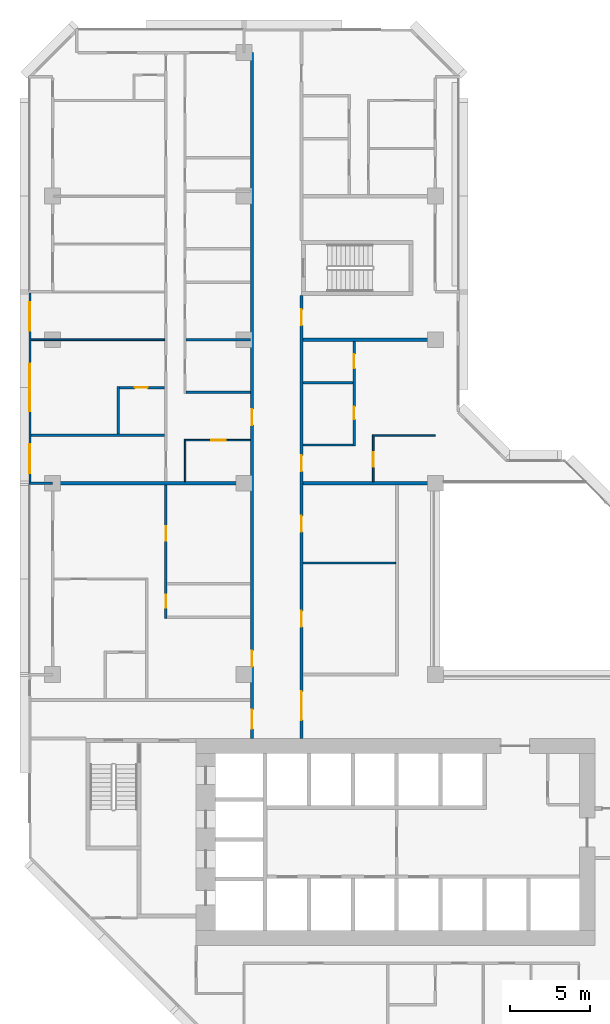
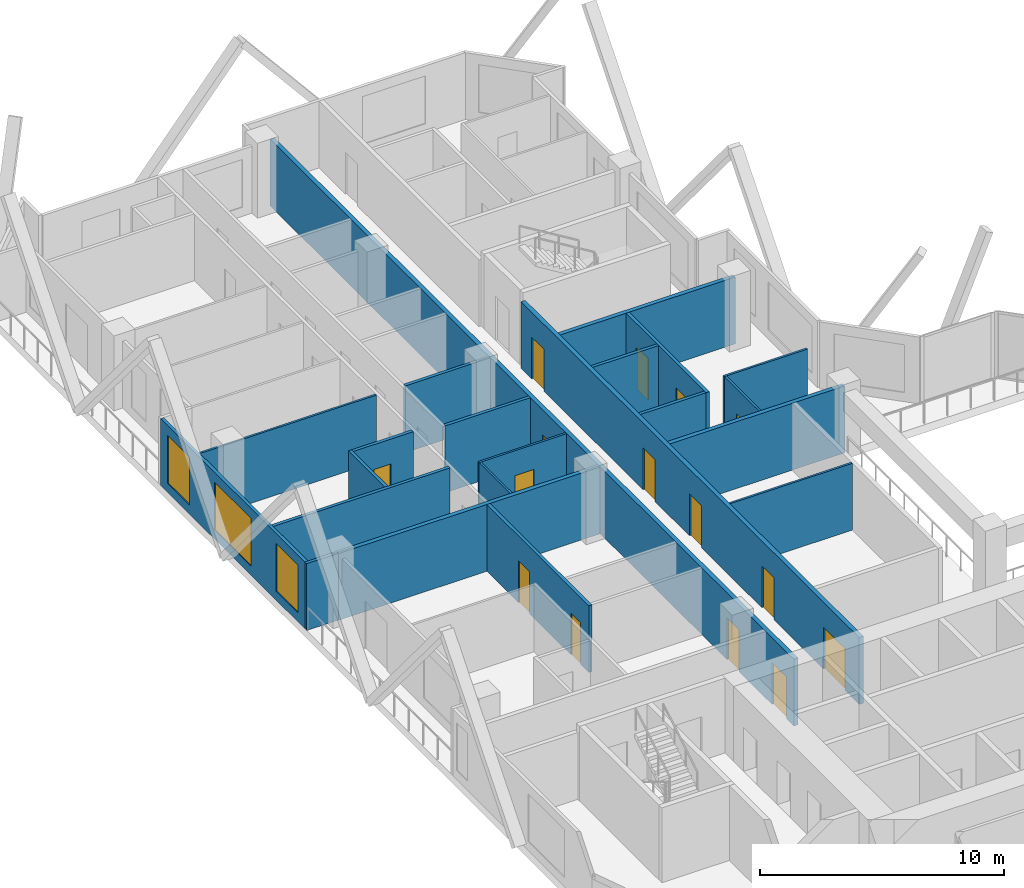
# One storey, part 9 of 15: 22 walls, 15 doors, 3 windows, 18 openings.
"""IFC4 building model written with IfcOpenShell, lengths in metres."""

from ifc_helpers import new_model, si_unit, direction, frame, frame_2d, origin, place, context, subcontext, project, spatial, rectangle, extrude, material, layer, layer_set, type_object, element, fill, save


model = new_model("IFC4")

# Units and contexts
model_context = context("Model", 3, precision=1e-05, world=origin(), true_north=direction((0.0, 1.0)))
body_context = subcontext(model_context, "Body", "Model", "MODEL_VIEW")
ifc_project = project(units=[si_unit("LENGTHUNIT", "METRE"), si_unit("AREAUNIT", "SQUARE_METRE"), si_unit("VOLUMEUNIT", "CUBIC_METRE"), si_unit("PLANEANGLEUNIT", "RADIAN"), si_unit("MASSUNIT", "GRAM", prefix="KILO")], contexts=[model_context])

# Site, building, storey
site_placement = place(None, origin())
site = spatial("IfcSite", under=ifc_project, at=site_placement, CompositionType="ELEMENT")
building_placement = place(site_placement, origin())
building = spatial("IfcBuilding", under=site, at=building_placement, Name="Chenar Terraces", CompositionType="ELEMENT")
storey_placement = place(building_placement, frame((0.0, 0.0, 121.89990234375)))
storey = spatial("IfcBuildingStorey", under=building, at=storey_placement, Name="L28", CompositionType="ELEMENT", Elevation=121.89990234375)

# Wall, openings, doors
ifc_material_1 = material(Name="Gypsum board on steel studs with fire boards", Category="steel")
ifc_layer_1 = layer(ifc_material_1, 0.199951171875)
ifc_layer_set_1 = layer_set([ifc_layer_1], Name="Gypsum board on steel studs with fire boards")
wall_type_1 = type_object("IfcWallType", Name="Corridor wall 200", PredefinedType="PARTITIONING", material=ifc_layer_set_1)
wall_1_placement = place(storey_placement, frame((12.5, 20.0, 0.0), z_axis=(0.0, 0.0, 1.0), x_axis=(0.0, 1.0, 0.0)))
wall_1 = element("IfcWall", 1, at=wall_1_placement, inside=storey, type_object=wall_type_1, Name="Partition L28-036", PredefinedType="PARTITIONING", context=body_context, shape_type="SweptSolid", body=[
    extrude(rectangle(XDim=43.0, YDim=0.199951171875, at=frame_2d((21.5, 0.0))), origin(), (0.0, 0.0, 1.0), 3.35009765625),
])
opening_1_placement = place(wall_1_placement, frame((19.64990234375, 0.0, 0.0)))
opening_1 = element("IfcOpeningElement", 2, at=opening_1_placement, cuts=wall_1, Name="Opening DL28-37", PredefinedType="OPENING", context=body_context, shape_type="SweptSolid", body=[
    extrude(rectangle(XDim=1.0, YDim=2.10009765625, at=frame_2d((0.5, 1.050048828125))), frame((0.0, 0.10986328125, 0.0), z_axis=(0.0, -1.0, 0.0), x_axis=(1.0, 0.0, 0.0)), (0.0, 0.0, 1.0), 0.219970703125),
])
opening_2_placement = place(wall_1_placement, frame((0.60009765625, 0.0, 0.0)))
opening_2 = element("IfcOpeningElement", 3, at=opening_2_placement, cuts=wall_1, Name="Opening DL28-51", PredefinedType="OPENING", context=body_context, shape_type="SweptSolid", body=[
    extrude(rectangle(XDim=1.199951171875, YDim=2.10009765625, at=frame_2d((0.60009765625, 1.050048828125))), frame((0.0, 0.10986328125, 0.0), z_axis=(0.0, -1.0, 0.0), x_axis=(1.0, 0.0, 0.0)), (0.0, 0.0, 1.0), 0.219970703125),
])
opening_3_placement = place(wall_1_placement, frame((4.5, 0.0, 0.0)))
opening_3 = element("IfcOpeningElement", 4, at=opening_3_placement, cuts=wall_1, Name="Opening DL28-74", PredefinedType="OPENING", context=body_context, shape_type="SweptSolid", body=[
    extrude(rectangle(XDim=1.0, YDim=2.10009765625, at=frame_2d((0.5, 1.050048828125))), frame((0.0, 0.10986328125, 0.0), z_axis=(0.0, -1.0, 0.0), x_axis=(1.0, 0.0, 0.0)), (0.0, 0.0, 1.0), 0.219970703125),
])
ifc_material_2 = material(Name="Steel-framed fire-resisting door leaf", Category="steel")
door_type_1 = type_object("IfcDoorType", Name="Fire door FD30S 1000 x 2100", OperationType="SINGLE_SWING_LEFT", PredefinedType="DOOR", material=ifc_material_2)
door_1_placement = place(opening_1_placement, origin())
door_1 = element("IfcDoor", 5, at=door_1_placement, inside=storey, type_object=door_type_1, Name="Door DL28-37", OperationType="SINGLE_SWING_LEFT", OverallHeight=2.10009765625, OverallWidth=1.0, PredefinedType="DOOR", context=body_context, shape_type="SweptSolid", body=[
    extrude(rectangle(XDim=1.0, YDim=2.10009765625, at=frame_2d((0.5, 1.050048828125))), frame((0.0, 0.02490234375, 0.0), z_axis=(0.0, -1.0, 0.0), x_axis=(1.0, 0.0, 0.0)), (0.0, 0.0, 1.0), 0.050048828125),
])
fill(opening_1, door_1)
door_2_placement = place(opening_3_placement, origin())
door_2 = element("IfcDoor", 6, at=door_2_placement, inside=storey, type_object=door_type_1, Name="Door DL28-74", OperationType="SINGLE_SWING_LEFT", OverallHeight=2.10009765625, OverallWidth=1.0, PredefinedType="DOOR", context=body_context, shape_type="SweptSolid", body=[
    extrude(rectangle(XDim=1.0, YDim=2.10009765625, at=frame_2d((0.5, 1.050048828125))), frame((0.0, 0.02490234375, 0.0), z_axis=(0.0, -1.0, 0.0), x_axis=(1.0, 0.0, 0.0)), (0.0, 0.0, 1.0), 0.050048828125),
])
fill(opening_3, door_2)
ifc_material_3 = material(Name="Steel-framed fire-resisting door leaf", Category="steel")
door_type_2 = type_object("IfcDoorType", Name="Fire door FD30S 1200 x 2100", OperationType="SINGLE_SWING_LEFT", PredefinedType="DOOR", material=ifc_material_3)
door_3_placement = place(opening_2_placement, origin())
door_3 = element("IfcDoor", 7, at=door_3_placement, inside=storey, type_object=door_type_2, Name="Door DL28-51", OperationType="SINGLE_SWING_RIGHT", OverallHeight=2.10009765625, OverallWidth=1.199951171875, PredefinedType="DOOR", context=body_context, shape_type="SweptSolid", body=[
    extrude(rectangle(XDim=1.199951171875, YDim=2.10009765625, at=frame_2d((0.60009765625, 1.050048828125))), frame((0.0, 0.02490234375, 0.0), z_axis=(0.0, -1.0, 0.0), x_axis=(1.0, 0.0, 0.0)), (0.0, 0.0, 1.0), 0.050048828125),
])
fill(opening_2, door_3)

wall_2_placement = place(storey_placement, frame((15.60009765625, 20.0, 0.0), z_axis=(0.0, 0.0, 1.0), x_axis=(0.0, 1.0, 0.0)))
wall_2 = element("IfcWall", 8, at=wall_2_placement, inside=storey, type_object=wall_type_1, Name="Partition L28-037", PredefinedType="PARTITIONING", context=body_context, shape_type="SweptSolid", body=[
    extrude(rectangle(XDim=27.77490234375, YDim=0.199951171875, at=frame_2d((13.887451171875, 0.0))), origin(), (0.0, 0.0, 1.0), 3.35009765625),
])
opening_4_placement = place(wall_2_placement, frame((7.0, 0.0, 0.0)))
opening_4 = element("IfcOpeningElement", 9, at=opening_4_placement, cuts=wall_2, Name="Opening DL28-1", PredefinedType="OPENING", context=body_context, shape_type="SweptSolid", body=[
    extrude(rectangle(XDim=1.0, YDim=2.10009765625, at=frame_2d((0.5, 1.050048828125))), frame((0.0, 0.10986328125, 0.0), z_axis=(0.0, -1.0, 0.0), x_axis=(1.0, 0.0, 0.0)), (0.0, 0.0, 1.0), 0.219970703125),
])
opening_5_placement = place(wall_2_placement, frame((12.949951171875, 0.0, 0.0)))
opening_5 = element("IfcOpeningElement", 10, at=opening_5_placement, cuts=wall_2, Name="Opening DL28-2", PredefinedType="OPENING", context=body_context, shape_type="SweptSolid", body=[
    extrude(rectangle(XDim=1.0, YDim=2.10009765625, at=frame_2d((0.5, 1.050048828125))), frame((0.0, 0.10986328125, 0.0), z_axis=(0.0, -1.0, 0.0), x_axis=(1.0, 0.0, 0.0)), (0.0, 0.0, 1.0), 0.219970703125),
])
opening_6_placement = place(wall_2_placement, frame((16.75, 0.0, 0.0)))
opening_6 = element("IfcOpeningElement", 11, at=opening_6_placement, cuts=wall_2, Name="Opening DL28-26", PredefinedType="OPENING", context=body_context, shape_type="SweptSolid", body=[
    extrude(rectangle(XDim=1.0, YDim=2.10009765625, at=frame_2d((0.5, 1.050048828125))), frame((0.0, 0.10986328125, 0.0), z_axis=(0.0, -1.0, 0.0), x_axis=(1.0, 0.0, 0.0)), (0.0, 0.0, 1.0), 0.219970703125),
])
opening_7_placement = place(wall_2_placement, frame((1.14990234375, 0.0, 0.0)))
opening_7 = element("IfcOpeningElement", 12, at=opening_7_placement, cuts=wall_2, Name="Opening DL28-50", PredefinedType="OPENING", context=body_context, shape_type="SweptSolid", body=[
    extrude(rectangle(XDim=1.800048828125, YDim=2.10009765625, at=frame_2d((0.89990234375, 1.050048828125))), frame((0.0, 0.10986328125, 0.0), z_axis=(0.0, -1.0, 0.0), x_axis=(1.0, 0.0, 0.0)), (0.0, 0.0, 1.0), 0.219970703125),
])
opening_8_placement = place(wall_2_placement, frame((25.89990234375, 0.0, 0.0)))
opening_8 = element("IfcOpeningElement", 13, at=opening_8_placement, cuts=wall_2, Name="Opening DL28-53", PredefinedType="OPENING", context=body_context, shape_type="SweptSolid", body=[
    extrude(rectangle(XDim=1.0, YDim=2.10009765625, at=frame_2d((0.5, 1.050048828125))), frame((0.0, 0.10986328125, 0.0), z_axis=(0.0, -1.0, 0.0), x_axis=(1.0, 0.0, 0.0)), (0.0, 0.0, 1.0), 0.219970703125),
])
ifc_material_4 = material(Name="Steel-framed fire-resisting door leaf", Category="steel")
door_type_3 = type_object("IfcDoorType", Name="Fire door FD60 1000 x 2100", OperationType="SINGLE_SWING_LEFT", PredefinedType="DOOR", material=ifc_material_4)
door_4_placement = place(opening_4_placement, frame((1.0, 0.0, 0.0), z_axis=(0.0, 0.0, 1.0), x_axis=(-1.0, 0.0, 0.0)))
door_4 = element("IfcDoor", 14, at=door_4_placement, inside=storey, type_object=door_type_3, Name="Door DL28-1", OperationType="SINGLE_SWING_LEFT", OverallHeight=2.10009765625, OverallWidth=1.0, PredefinedType="DOOR", context=body_context, shape_type="SweptSolid", body=[
    extrude(rectangle(XDim=1.0, YDim=2.10009765625, at=frame_2d((0.5, 1.050048828125))), frame((0.0, 0.02490234375, 0.0), z_axis=(0.0, -1.0, 0.0), x_axis=(1.0, 0.0, 0.0)), (0.0, 0.0, 1.0), 0.050048828125),
])
fill(opening_4, door_4)
door_5_placement = place(opening_5_placement, frame((1.0, 0.0, 0.0), z_axis=(0.0, 0.0, 1.0), x_axis=(-1.0, 0.0, 0.0)))
door_5 = element("IfcDoor", 15, at=door_5_placement, inside=storey, type_object=door_type_3, Name="Door DL28-2", OperationType="SINGLE_SWING_LEFT", OverallHeight=2.10009765625, OverallWidth=1.0, PredefinedType="DOOR", context=body_context, shape_type="SweptSolid", body=[
    extrude(rectangle(XDim=1.0, YDim=2.10009765625, at=frame_2d((0.5, 1.050048828125))), frame((0.0, 0.02490234375, 0.0), z_axis=(0.0, -1.0, 0.0), x_axis=(1.0, 0.0, 0.0)), (0.0, 0.0, 1.0), 0.050048828125),
])
fill(opening_5, door_5)
door_6_placement = place(opening_6_placement, frame((1.0, 0.0, 0.0), z_axis=(0.0, 0.0, 1.0), x_axis=(-1.0, 0.0, 0.0)))
door_6 = element("IfcDoor", 16, at=door_6_placement, inside=storey, type_object=door_type_3, Name="Door DL28-26", OperationType="SINGLE_SWING_LEFT", OverallHeight=2.10009765625, OverallWidth=1.0, PredefinedType="DOOR", context=body_context, shape_type="SweptSolid", body=[
    extrude(rectangle(XDim=1.0, YDim=2.10009765625, at=frame_2d((0.5, 1.050048828125))), frame((0.0, 0.02490234375, 0.0), z_axis=(0.0, -1.0, 0.0), x_axis=(1.0, 0.0, 0.0)), (0.0, 0.0, 1.0), 0.050048828125),
])
fill(opening_6, door_6)
door_7_placement = place(opening_8_placement, frame((1.0, 0.0, 0.0), z_axis=(0.0, 0.0, 1.0), x_axis=(-1.0, 0.0, 0.0)))
door_7 = element("IfcDoor", 17, at=door_7_placement, inside=storey, type_object=door_type_3, Name="Door DL28-53", OperationType="SINGLE_SWING_RIGHT", OverallHeight=2.10009765625, OverallWidth=1.0, PredefinedType="DOOR", context=body_context, shape_type="SweptSolid", body=[
    extrude(rectangle(XDim=1.0, YDim=2.10009765625, at=frame_2d((0.5, 1.050048828125))), frame((0.0, 0.02490234375, 0.0), z_axis=(0.0, -1.0, 0.0), x_axis=(1.0, 0.0, 0.0)), (0.0, 0.0, 1.0), 0.050048828125),
])
fill(opening_8, door_7)
ifc_material_5 = material(Name="Steel-framed fire-resisting door leaf", Category="steel")
door_type_4 = type_object("IfcDoorType", Name="Fire double door FD60 1800 x 2100", OperationType="DOUBLE_DOOR_SINGLE_SWING", PredefinedType="DOOR", material=ifc_material_5)
door_8_placement = place(opening_7_placement, frame((1.800048828125, 0.0, 0.0), z_axis=(0.0, 0.0, 1.0), x_axis=(-1.0, 0.0, 0.0)))
door_8 = element("IfcDoor", 18, at=door_8_placement, inside=storey, type_object=door_type_4, Name="Door DL28-50", OperationType="DOUBLE_DOOR_SINGLE_SWING", OverallHeight=2.10009765625, OverallWidth=1.800048828125, PredefinedType="DOOR", context=body_context, shape_type="SweptSolid", body=[
    extrude(rectangle(XDim=1.800048828125, YDim=2.10009765625, at=frame_2d((0.89990234375, 1.050048828125))), frame((0.0, 0.02490234375, 0.0), z_axis=(0.0, -1.0, 0.0), x_axis=(1.0, 0.0, 0.0)), (0.0, 0.0, 1.0), 0.050048828125),
])
fill(opening_7, door_8)

# Wall, openings, windows
ifc_material_6 = material(Name="Aluminium framed glazing", Category="aluminium")
ifc_layer_2 = layer(ifc_material_6, 0.14990234375)
ifc_layer_set_2 = layer_set([ifc_layer_2], Name="Aluminium framed glazing")
wall_type_2 = type_object("IfcWallType", Name="Glazed flush facade wall 150", PredefinedType="SOLIDWALL", material=ifc_layer_set_2)
wall_3_placement = place(storey_placement, frame((-1.425048828125, 47.925048828125, 0.0), z_axis=(0.0, 0.0, 1.0), x_axis=(0.0, -1.0, 0.0)))
wall_3 = element("IfcWall", 19, at=wall_3_placement, inside=storey, type_object=wall_type_2, Name="Glazed flush facade wall", PredefinedType="SOLIDWALL", context=body_context, shape_type="SweptSolid", body=[
    extrude(rectangle(XDim=11.85009765625, YDim=0.14990234375, at=frame_2d((5.925048828125, 0.0))), origin(), (0.0, 0.0, 1.0), 3.35009765625),
])
opening_9_placement = place(wall_3_placement, frame((0.5625, 0.0, 0.449951171875)))
opening_9 = element("IfcOpeningElement", 20, at=opening_9_placement, cuts=wall_3, Name="Opening W180x240", PredefinedType="OPENING", context=body_context, shape_type="SweptSolid", body=[
    extrude(rectangle(XDim=1.800048828125, YDim=2.39990234375, at=frame_2d((0.89990234375, 1.199951171875))), frame((0.0, 0.0849609375, 0.0), z_axis=(0.0, -1.0, 0.0), x_axis=(1.0, 0.0, 0.0)), (0.0, 0.0, 1.0), 0.169921875),
])
opening_10_placement = place(wall_3_placement, frame((4.425048828125, 0.0, 0.449951171875)))
opening_10 = element("IfcOpeningElement", 21, at=opening_10_placement, cuts=wall_3, Name="Opening W300x240", PredefinedType="OPENING", context=body_context, shape_type="SweptSolid", body=[
    extrude(rectangle(XDim=3.0, YDim=2.39990234375, at=frame_2d((1.5, 1.199951171875))), frame((0.0, 0.0849609375, 0.0), z_axis=(0.0, -1.0, 0.0), x_axis=(1.0, 0.0, 0.0)), (0.0, 0.0, 1.0), 0.169921875),
])
opening_11_placement = place(wall_3_placement, frame((9.487548828125, 0.0, 0.449951171875)))
opening_11 = element("IfcOpeningElement", 22, at=opening_11_placement, cuts=wall_3, Name="Opening W180x240", PredefinedType="OPENING", context=body_context, shape_type="SweptSolid", body=[
    extrude(rectangle(XDim=1.800048828125, YDim=2.39990234375, at=frame_2d((0.89990234375, 1.199951171875))), frame((0.0, 0.0849609375, 0.0), z_axis=(0.0, -1.0, 0.0), x_axis=(1.0, 0.0, 0.0)), (0.0, 0.0, 1.0), 0.169921875),
])
ifc_material_7 = material(Name="Low emissivity double glazing, aluminium frame", Category="aluminium")
window_type_1 = type_object("IfcWindowType", Name="Fixed light 1800 x 2400", PartitioningType="SINGLE_PANEL", PredefinedType="WINDOW", material=ifc_material_7)
window_1_placement = place(opening_9_placement, origin())
window_1 = element("IfcWindow", 23, at=window_1_placement, inside=storey, type_object=window_type_1, Name="Window", OverallHeight=2.39990234375, OverallWidth=1.800048828125, PartitioningType="SINGLE_PANEL", PredefinedType="WINDOW", context=body_context, shape_type="SweptSolid", body=[
    extrude(rectangle(XDim=1.800048828125, YDim=2.39990234375, at=frame_2d((0.89990234375, 1.199951171875))), frame((0.0, 0.030029296875, 0.0), z_axis=(0.0, -1.0, 0.0), x_axis=(1.0, 0.0, 0.0)), (0.0, 0.0, 1.0), 0.06005859375),
])
fill(opening_9, window_1)
window_2_placement = place(opening_11_placement, origin())
window_2 = element("IfcWindow", 24, at=window_2_placement, inside=storey, type_object=window_type_1, Name="Window", OverallHeight=2.39990234375, OverallWidth=1.800048828125, PartitioningType="SINGLE_PANEL", PredefinedType="WINDOW", context=body_context, shape_type="SweptSolid", body=[
    extrude(rectangle(XDim=1.800048828125, YDim=2.39990234375, at=frame_2d((0.89990234375, 1.199951171875))), frame((0.0, 0.030029296875, 0.0), z_axis=(0.0, -1.0, 0.0), x_axis=(1.0, 0.0, 0.0)), (0.0, 0.0, 1.0), 0.06005859375),
])
fill(opening_11, window_2)
ifc_material_8 = material(Name="Low emissivity double glazing, aluminium frame", Category="aluminium")
window_type_2 = type_object("IfcWindowType", Name="Fixed light 3000 x 2400", PartitioningType="SINGLE_PANEL", PredefinedType="WINDOW", material=ifc_material_8)
window_3_placement = place(opening_10_placement, origin())
window_3 = element("IfcWindow", 25, at=window_3_placement, inside=storey, type_object=window_type_2, Name="Window", OverallHeight=2.39990234375, OverallWidth=3.0, PartitioningType="SINGLE_PANEL", PredefinedType="WINDOW", context=body_context, shape_type="SweptSolid", body=[
    extrude(rectangle(XDim=3.0, YDim=2.39990234375, at=frame_2d((1.5, 1.199951171875))), frame((0.0, 0.030029296875, 0.0), z_axis=(0.0, -1.0, 0.0), x_axis=(1.0, 0.0, 0.0)), (0.0, 0.0, 1.0), 0.06005859375),
])
fill(opening_10, window_3)

# Wall
ifc_material_9 = material(Name="Gypsum board on steel studs", Category="steel")
ifc_layer_3 = layer(ifc_material_9, 0.10009765625)
ifc_layer_set_3 = layer_set([ifc_layer_3], Name="Gypsum board on steel studs")
wall_type_3 = type_object("IfcWallType", Name="Gypsum partition 100", PredefinedType="PARTITIONING", material=ifc_layer_set_3)
wall_4_placement = place(storey_placement, frame((-1.35107421875, 45.0, 0.0), z_axis=(0.0, 0.0, 1.0), x_axis=(1.0, 0.0, 0.0)))
element("IfcWall", 26, at=wall_4_placement, inside=storey, type_object=wall_type_3, Name="Partition L28-002", PredefinedType="PARTITIONING", context=body_context, shape_type="SweptSolid", body=[
    extrude(rectangle(XDim=8.3759765625, YDim=0.10009765625, at=frame_2d((4.18798828125, 0.0))), origin(), (0.0, 0.0, 1.0), 3.35009765625),
])

# Wall, opening, door
wall_5_placement = place(storey_placement, frame((8.25, 38.699951171875, 0.0), z_axis=(0.0, 0.0, 1.0), x_axis=(1.0, 0.0, 0.0)))
wall_5 = element("IfcWall", 27, at=wall_5_placement, inside=storey, type_object=wall_type_3, Name="Partition L28-023", PredefinedType="PARTITIONING", context=body_context, shape_type="SweptSolid", body=[
    extrude(rectangle(XDim=4.14990234375, YDim=0.10009765625, at=frame_2d((2.074951171875, 0.0))), origin(), (0.0, 0.0, 1.0), 3.35009765625),
])
opening_12_placement = place(wall_5_placement, frame((1.699951171875, 0.0, 0.0)))
opening_12 = element("IfcOpeningElement", 28, at=opening_12_placement, cuts=wall_5, Name="Opening DL28-44", PredefinedType="OPENING", context=body_context, shape_type="SweptSolid", body=[
    extrude(rectangle(XDim=0.89990234375, YDim=2.10009765625, at=frame_2d((0.449951171875, 1.050048828125))), frame((0.0, 0.06005859375, 0.0), z_axis=(0.0, -1.0, 0.0), x_axis=(1.0, 0.0, 0.0)), (0.0, 0.0, 1.0), 0.1201171875),
])
ifc_material_10 = material(Name="Veneered timber door leaf", Category="wood")
door_type_5 = type_object("IfcDoorType", Name="Door 900 x 2100", OperationType="SINGLE_SWING_LEFT", PredefinedType="DOOR", material=ifc_material_10)
door_9_placement = place(opening_12_placement, frame((0.89990234375, 0.0, 0.0), z_axis=(0.0, 0.0, 1.0), x_axis=(-1.0, 0.0, 0.0)))
door_9 = element("IfcDoor", 29, at=door_9_placement, inside=storey, type_object=door_type_5, Name="Door DL28-44", OperationType="SINGLE_SWING_RIGHT", OverallHeight=2.10009765625, OverallWidth=0.89990234375, PredefinedType="DOOR", context=body_context, shape_type="SweptSolid", body=[
    extrude(rectangle(XDim=0.89990234375, YDim=2.10009765625, at=frame_2d((0.449951171875, 1.050048828125))), frame((0.0, 0.02490234375, 0.0), z_axis=(0.0, -1.0, 0.0), x_axis=(1.0, 0.0, 0.0)), (0.0, 0.0, 1.0), 0.050048828125),
])
fill(opening_12, door_9)

# Walls
wall_6_placement = place(storey_placement, frame((8.300048828125, 36.10009765625, 0.0), z_axis=(0.0, 0.0, 1.0), x_axis=(0.0, 1.0, 0.0)))
element("IfcWall", 30, at=wall_6_placement, inside=storey, type_object=wall_type_3, Name="Partition L28-024", PredefinedType="PARTITIONING", context=body_context, shape_type="SweptSolid", body=[
    extrude(rectangle(XDim=2.5498046875, YDim=0.10009765625, at=frame_2d((1.27490234375, 0.0))), origin(), (0.0, 0.0, 1.0), 3.35009765625),
])
wall_7_placement = place(storey_placement, frame((15.699951171875, 31.0, 0.0), z_axis=(0.0, 0.0, 1.0), x_axis=(1.0, 0.0, 0.0)))
element("IfcWall", 31, at=wall_7_placement, inside=storey, type_object=wall_type_3, Name="Partition L28-040", PredefinedType="PARTITIONING", context=body_context, shape_type="SweptSolid", body=[
    extrude(rectangle(XDim=5.800048828125, YDim=0.10009765625, at=frame_2d((2.89990234375, 0.0))), origin(), (0.0, 0.0, 1.0), 3.35009765625),
])
wall_8_placement = place(storey_placement, frame((20.050048828125, 39.0, 0.0), z_axis=(0.0, 0.0, 1.0), x_axis=(1.0, 0.0, 0.0)))
element("IfcWall", 32, at=wall_8_placement, inside=storey, type_object=wall_type_3, Name="Partition L28-053", PredefinedType="PARTITIONING", context=body_context, shape_type="SweptSolid", body=[
    extrude(rectangle(XDim=3.949951171875, YDim=0.10009765625, at=frame_2d((1.97509765625, 0.0))), origin(), (0.0, 0.0, 1.0), 3.35009765625),
])

# Wall, opening, door
wall_9_placement = place(storey_placement, frame((20.10009765625, 36.10009765625, 0.0), z_axis=(0.0, 0.0, 1.0), x_axis=(0.0, 1.0, 0.0)))
wall_9 = element("IfcWall", 33, at=wall_9_placement, inside=storey, type_object=wall_type_3, Name="Partition L28-054", PredefinedType="PARTITIONING", context=body_context, shape_type="SweptSolid", body=[
    extrude(rectangle(XDim=2.849853515625, YDim=0.10009765625, at=frame_2d((1.4248046875, 0.0))), origin(), (0.0, 0.0, 1.0), 3.35009765625),
])
opening_13_placement = place(wall_9_placement, frame((0.949951171875, 0.0, 0.0)))
opening_13 = element("IfcOpeningElement", 34, at=opening_13_placement, cuts=wall_9, Name="Opening DL28-24", PredefinedType="OPENING", context=body_context, shape_type="SweptSolid", body=[
    extrude(rectangle(XDim=0.89990234375, YDim=2.10009765625, at=frame_2d((0.449951171875, 1.050048828125))), frame((0.0, 0.06005859375, 0.0), z_axis=(0.0, -1.0, 0.0), x_axis=(1.0, 0.0, 0.0)), (0.0, 0.0, 1.0), 0.1201171875),
])
door_10_placement = place(opening_13_placement, frame((0.89990234375, 0.0, 0.0), z_axis=(0.0, 0.0, 1.0), x_axis=(-1.0, 0.0, 0.0)))
door_10 = element("IfcDoor", 35, at=door_10_placement, inside=storey, type_object=door_type_5, Name="Door DL28-24", OperationType="SINGLE_SWING_LEFT", OverallHeight=2.10009765625, OverallWidth=0.89990234375, PredefinedType="DOOR", context=body_context, shape_type="SweptSolid", body=[
    extrude(rectangle(XDim=0.89990234375, YDim=2.10009765625, at=frame_2d((0.449951171875, 1.050048828125))), frame((0.0, 0.02490234375, 0.0), z_axis=(0.0, -1.0, 0.0), x_axis=(1.0, 0.0, 0.0)), (0.0, 0.0, 1.0), 0.050048828125),
])
fill(opening_13, door_10)

# Walls
ifc_material_11 = material(Name="Terracotta cladding on insulated backing", Category="masonry")
ifc_layer_4 = layer(ifc_material_11, 0.14990234375)
ifc_layer_set_4 = layer_set([ifc_layer_4], Name="Terracotta cladding on insulated backing")
wall_type_4 = type_object("IfcWallType", Name="Loggia return wall 150", PredefinedType="SOLIDWALL", material=ifc_layer_set_4)
wall_10_placement = place(storey_placement, frame((-1.5, 36.0, 0.0), z_axis=(0.0, 0.0, 1.0), x_axis=(1.0, 0.0, 0.0)))
element("IfcWall", 36, at=wall_10_placement, inside=storey, type_object=wall_type_4, Name="Loggia return wall", PredefinedType="SOLIDWALL", context=body_context, shape_type="SweptSolid", body=[
    extrude(rectangle(XDim=1.5, YDim=0.14990234375, at=frame_2d((0.75, 0.0))), origin(), (0.0, 0.0, 1.0), 3.35009765625),
])
ifc_material_12 = material(Name="Twin gypsum board on steel studs with mineral wool", Category="steel")
ifc_layer_5 = layer(ifc_material_12, 0.199951171875)
ifc_layer_set_5 = layer_set([ifc_layer_5], Name="Twin gypsum board on steel studs with mineral wool")
wall_type_5 = type_object("IfcWallType", Name="Unit demising wall 200", PredefinedType="PARTITIONING", material=ifc_layer_set_5)
wall_11_placement = place(storey_placement, frame((0.0, 36.0, 0.0), z_axis=(0.0, 0.0, 1.0), x_axis=(1.0, 0.0, 0.0)))
element("IfcWall", 37, at=wall_11_placement, inside=storey, type_object=wall_type_5, Name="Partition L28-005", PredefinedType="PARTITIONING", context=body_context, shape_type="SweptSolid", body=[
    extrude(rectangle(XDim=12.39990234375, YDim=0.199951171875, at=frame_2d((6.199951171875, 0.0))), origin(), (0.0, 0.0, 1.0), 3.35009765625),
])
for number, where, z_axis, x_axis, name in (
    (38, (15.699951171875, 36.0, 0.0), (0.0, 0.0, 1.0), (1.0, 0.0, 0.0), "Partition L28-041"),
    (39, (15.699951171875, 45.0, 0.0), (0.0, 0.0, 1.0), (1.0, 0.0, 0.0), "Partition L28-044"),
):
    element("IfcWall", number, at=place(storey_placement, frame(where, z_axis=z_axis, x_axis=x_axis)), inside=storey, type_object=wall_type_5, Name=name, PredefinedType="PARTITIONING", context=body_context, shape_type="SweptSolid", body=[
        extrude(rectangle(XDim=8.300048828125, YDim=0.199951171875, at=frame_2d((4.14990234375, 0.0))), origin(), (0.0, 0.0, 1.0), 3.35009765625),
    ])
ifc_material_13 = material(Name="Moisture-resistant gypsum board on steel studs", Category="steel")
ifc_layer_6 = layer(ifc_material_13, 0.14990234375)
ifc_layer_set_6 = layer_set([ifc_layer_6], Name="Moisture-resistant gypsum board on steel studs")
wall_type_6 = type_object("IfcWallType", Name="Wet-room partition 150", PredefinedType="PARTITIONING", material=ifc_layer_set_6)
wall_12_placement = place(storey_placement, frame((-1.35107421875, 39.0, 0.0), z_axis=(0.0, 0.0, 1.0), x_axis=(1.0, 0.0, 0.0)))
element("IfcWall", 40, at=wall_12_placement, inside=storey, type_object=wall_type_6, Name="Partition L28-001", PredefinedType="PARTITIONING", context=body_context, shape_type="SweptSolid", body=[
    extrude(rectangle(XDim=8.3759765625, YDim=0.14990234375, at=frame_2d((4.18798828125, 0.0))), origin(), (0.0, 0.0, 1.0), 3.35009765625),
])
wall_13_placement = place(storey_placement, frame((4.10009765625, 39.074951171875, 0.0), z_axis=(0.0, 0.0, 1.0), x_axis=(0.0, 1.0, 0.0)))
element("IfcWall", 41, at=wall_13_placement, inside=storey, type_object=wall_type_6, Name="Partition L28-014", PredefinedType="PARTITIONING", context=body_context, shape_type="SweptSolid", body=[
    extrude(rectangle(XDim=3.0, YDim=0.14990234375, at=frame_2d((1.5, 0.0))), origin(), (0.0, 0.0, 1.0), 3.35009765625),
])

# Wall, opening, door
wall_14_placement = place(storey_placement, frame((4.175048828125, 42.0, 0.0), z_axis=(0.0, 0.0, 1.0), x_axis=(1.0, 0.0, 0.0)))
wall_14 = element("IfcWall", 42, at=wall_14_placement, inside=storey, type_object=wall_type_6, Name="Partition L28-015", PredefinedType="PARTITIONING", context=body_context, shape_type="SweptSolid", body=[
    extrude(rectangle(XDim=2.849853515625, YDim=0.14990234375, at=frame_2d((1.4248046875, 0.0))), origin(), (0.0, 0.0, 1.0), 3.35009765625),
])
opening_14_placement = place(wall_14_placement, frame((0.97509765625, 0.0, 0.0)))
opening_14 = element("IfcOpeningElement", 43, at=opening_14_placement, cuts=wall_14, Name="Opening DL28-36", PredefinedType="OPENING", context=body_context, shape_type="SweptSolid", body=[
    extrude(rectangle(XDim=0.800048828125, YDim=2.10009765625, at=frame_2d((0.39990234375, 1.050048828125))), frame((0.0, 0.0849609375, 0.0), z_axis=(0.0, -1.0, 0.0), x_axis=(1.0, 0.0, 0.0)), (0.0, 0.0, 1.0), 0.169921875),
])
ifc_material_14 = material(Name="Veneered timber door leaf", Category="wood")
door_type_6 = type_object("IfcDoorType", Name="Door 800 x 2100", OperationType="SINGLE_SWING_LEFT", PredefinedType="DOOR", material=ifc_material_14)
door_11_placement = place(opening_14_placement, frame((0.800048828125, 0.0, 0.0), z_axis=(0.0, 0.0, 1.0), x_axis=(-1.0, 0.0, 0.0)))
door_11 = element("IfcDoor", 44, at=door_11_placement, inside=storey, type_object=door_type_6, Name="Door DL28-36", OperationType="SINGLE_SWING_RIGHT", OverallHeight=2.10009765625, OverallWidth=0.800048828125, PredefinedType="DOOR", context=body_context, shape_type="SweptSolid", body=[
    extrude(rectangle(XDim=0.800048828125, YDim=2.10009765625, at=frame_2d((0.39990234375, 1.050048828125))), frame((0.0, 0.02490234375, 0.0), z_axis=(0.0, -1.0, 0.0), x_axis=(1.0, 0.0, 0.0)), (0.0, 0.0, 1.0), 0.050048828125),
])
fill(opening_14, door_11)

# Wall, openings, doors
wall_15_placement = place(storey_placement, frame((7.10009765625, 27.52490234375, 0.0), z_axis=(0.0, 0.0, 1.0), x_axis=(0.0, 1.0, 0.0)))
wall_15 = element("IfcWall", 45, at=wall_15_placement, inside=storey, type_object=wall_type_6, Name="Partition L28-019", PredefinedType="PARTITIONING", context=body_context, shape_type="SweptSolid", body=[
    extrude(rectangle(XDim=8.375, YDim=0.14990234375, at=frame_2d((4.1875, 0.0))), origin(), (0.0, 0.0, 1.0), 3.35009765625),
])
opening_15_placement = place(wall_15_placement, frame((0.675048828125, 0.0, 0.0)))
opening_15 = element("IfcOpeningElement", 46, at=opening_15_placement, cuts=wall_15, Name="Opening DL28-70", PredefinedType="OPENING", context=body_context, shape_type="SweptSolid", body=[
    extrude(rectangle(XDim=0.800048828125, YDim=2.10009765625, at=frame_2d((0.39990234375, 1.050048828125))), frame((0.0, 0.0849609375, 0.0), z_axis=(0.0, -1.0, 0.0), x_axis=(1.0, 0.0, 0.0)), (0.0, 0.0, 1.0), 0.169921875),
])
opening_16_placement = place(wall_15_placement, frame((4.875, 0.0, 0.0)))
opening_16 = element("IfcOpeningElement", 47, at=opening_16_placement, cuts=wall_15, Name="Opening DL28-73", PredefinedType="OPENING", context=body_context, shape_type="SweptSolid", body=[
    extrude(rectangle(XDim=0.89990234375, YDim=2.10009765625, at=frame_2d((0.449951171875, 1.050048828125))), frame((0.0, 0.0849609375, 0.0), z_axis=(0.0, -1.0, 0.0), x_axis=(1.0, 0.0, 0.0)), (0.0, 0.0, 1.0), 0.169921875),
])
door_12_placement = place(opening_15_placement, frame((0.800048828125, 0.0, 0.0), z_axis=(0.0, 0.0, 1.0), x_axis=(-1.0, 0.0, 0.0)))
door_12 = element("IfcDoor", 48, at=door_12_placement, inside=storey, type_object=door_type_6, Name="Door DL28-70", OperationType="SINGLE_SWING_RIGHT", OverallHeight=2.10009765625, OverallWidth=0.800048828125, PredefinedType="DOOR", context=body_context, shape_type="SweptSolid", body=[
    extrude(rectangle(XDim=0.800048828125, YDim=2.10009765625, at=frame_2d((0.39990234375, 1.050048828125))), frame((0.0, 0.02490234375, 0.0), z_axis=(0.0, -1.0, 0.0), x_axis=(1.0, 0.0, 0.0)), (0.0, 0.0, 1.0), 0.050048828125),
])
fill(opening_15, door_12)
door_13_placement = place(opening_16_placement, frame((0.89990234375, 0.0, 0.0), z_axis=(0.0, 0.0, 1.0), x_axis=(-1.0, 0.0, 0.0)))
door_13 = element("IfcDoor", 49, at=door_13_placement, inside=storey, type_object=door_type_5, Name="Door DL28-73", OperationType="SINGLE_SWING_RIGHT", OverallHeight=2.10009765625, OverallWidth=0.89990234375, PredefinedType="DOOR", context=body_context, shape_type="SweptSolid", body=[
    extrude(rectangle(XDim=0.89990234375, YDim=2.10009765625, at=frame_2d((0.449951171875, 1.050048828125))), frame((0.0, 0.02490234375, 0.0), z_axis=(0.0, -1.0, 0.0), x_axis=(1.0, 0.0, 0.0)), (0.0, 0.0, 1.0), 0.050048828125),
])
fill(opening_16, door_13)

# Walls
for number, where, z_axis, x_axis, name in (
    (50, (8.375, 41.699951171875, 0.0), (0.0, 0.0, 1.0), (1.0, 0.0, 0.0), "Partition L28-026"),
    (51, (8.375, 45.0, 0.0), (0.0, 0.0, 1.0), (1.0, 0.0, 0.0), "Partition L28-027"),
):
    element("IfcWall", number, at=place(storey_placement, frame(where, z_axis=z_axis, x_axis=x_axis)), inside=storey, type_object=wall_type_6, Name=name, PredefinedType="PARTITIONING", context=body_context, shape_type="SweptSolid", body=[
        extrude(rectangle(XDim=4.02490234375, YDim=0.14990234375, at=frame_2d((2.012451171875, 0.0))), origin(), (0.0, 0.0, 1.0), 3.35009765625),
    ])
for number, where, z_axis, x_axis, name in (
    (52, (15.699951171875, 38.39990234375, 0.0), (0.0, 0.0, 1.0), (1.0, 0.0, 0.0), "Partition L28-042"),
    (53, (15.699951171875, 42.300048828125, 0.0), (0.0, 0.0, 1.0), (1.0, 0.0, 0.0), "Partition L28-043"),
):
    element("IfcWall", number, at=place(storey_placement, frame(where, z_axis=z_axis, x_axis=x_axis)), inside=storey, type_object=wall_type_6, Name=name, PredefinedType="PARTITIONING", context=body_context, shape_type="SweptSolid", body=[
        extrude(rectangle(XDim=3.125, YDim=0.14990234375, at=frame_2d((1.5625, 0.0))), origin(), (0.0, 0.0, 1.0), 3.35009765625),
    ])

# Wall, openings, doors
wall_16_placement = place(storey_placement, frame((18.89990234375, 38.324951171875, 0.0), z_axis=(0.0, 0.0, 1.0), x_axis=(0.0, 1.0, 0.0)))
wall_16 = element("IfcWall", 54, at=wall_16_placement, inside=storey, type_object=wall_type_6, Name="Partition L28-049", PredefinedType="PARTITIONING", context=body_context, shape_type="SweptSolid", body=[
    extrude(rectangle(XDim=6.574951171875, YDim=0.14990234375, at=frame_2d((3.28759765625, 0.0))), origin(), (0.0, 0.0, 1.0), 3.35009765625),
])
opening_17_placement = place(wall_16_placement, frame((1.675048828125, 0.0, 0.0)))
opening_17 = element("IfcOpeningElement", 55, at=opening_17_placement, cuts=wall_16, Name="Opening DL28-23", PredefinedType="OPENING", context=body_context, shape_type="SweptSolid", body=[
    extrude(rectangle(XDim=0.800048828125, YDim=2.10009765625, at=frame_2d((0.39990234375, 1.050048828125))), frame((0.0, 0.0849609375, 0.0), z_axis=(0.0, -1.0, 0.0), x_axis=(1.0, 0.0, 0.0)), (0.0, 0.0, 1.0), 0.169921875),
])
opening_18_placement = place(wall_16_placement, frame((4.875, 0.0, 0.0)))
opening_18 = element("IfcOpeningElement", 56, at=opening_18_placement, cuts=wall_16, Name="Opening DL28-25", PredefinedType="OPENING", context=body_context, shape_type="SweptSolid", body=[
    extrude(rectangle(XDim=0.89990234375, YDim=2.10009765625, at=frame_2d((0.449951171875, 1.050048828125))), frame((0.0, 0.0849609375, 0.0), z_axis=(0.0, -1.0, 0.0), x_axis=(1.0, 0.0, 0.0)), (0.0, 0.0, 1.0), 0.169921875),
])
door_14_placement = place(opening_17_placement, origin())
door_14 = element("IfcDoor", 57, at=door_14_placement, inside=storey, type_object=door_type_6, Name="Door DL28-23", OperationType="SINGLE_SWING_RIGHT", OverallHeight=2.10009765625, OverallWidth=0.800048828125, PredefinedType="DOOR", context=body_context, shape_type="SweptSolid", body=[
    extrude(rectangle(XDim=0.800048828125, YDim=2.10009765625, at=frame_2d((0.39990234375, 1.050048828125))), frame((0.0, 0.02490234375, 0.0), z_axis=(0.0, -1.0, 0.0), x_axis=(1.0, 0.0, 0.0)), (0.0, 0.0, 1.0), 0.050048828125),
])
fill(opening_17, door_14)
door_15_placement = place(opening_18_placement, origin())
door_15 = element("IfcDoor", 58, at=door_15_placement, inside=storey, type_object=door_type_5, Name="Door DL28-25", OperationType="SINGLE_SWING_LEFT", OverallHeight=2.10009765625, OverallWidth=0.89990234375, PredefinedType="DOOR", context=body_context, shape_type="SweptSolid", body=[
    extrude(rectangle(XDim=0.89990234375, YDim=2.10009765625, at=frame_2d((0.449951171875, 1.050048828125))), frame((0.0, 0.02490234375, 0.0), z_axis=(0.0, -1.0, 0.0), x_axis=(1.0, 0.0, 0.0)), (0.0, 0.0, 1.0), 0.050048828125),
])
fill(opening_18, door_15)

save(model, "model.ifc")
